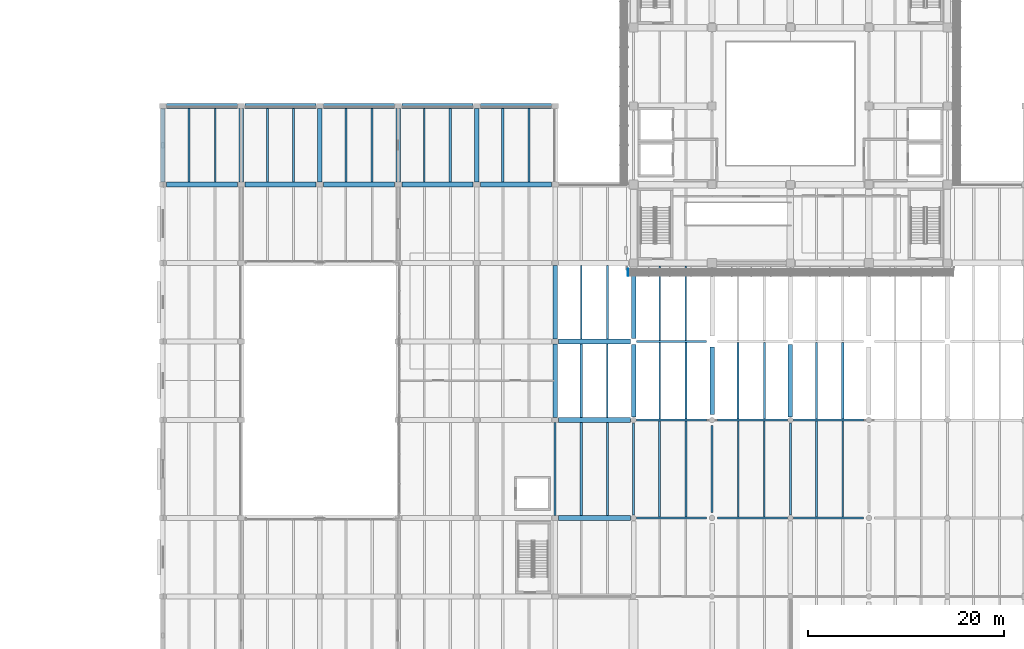
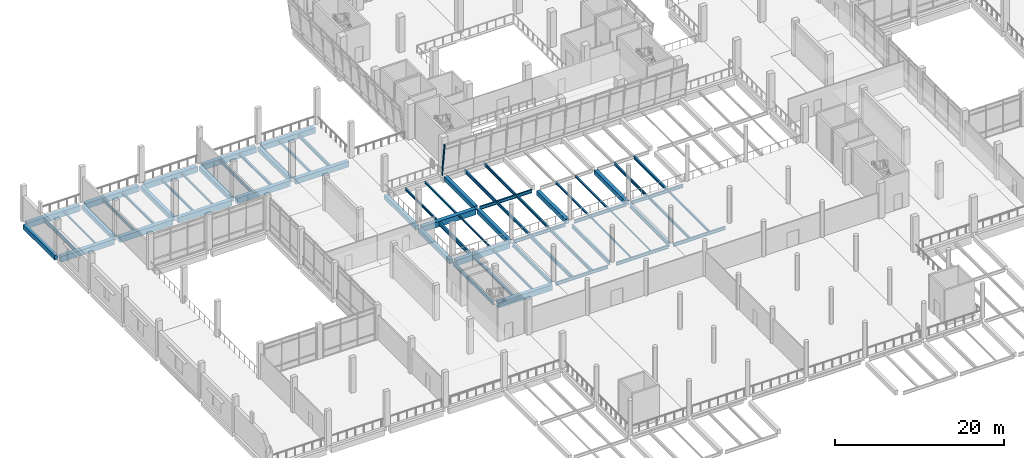
# One storey, part 12 of 61: 65 beams, 1 member, 1 element without a shape of its own.
"""IFC4 building model written with IfcOpenShell, lengths in metres."""

from ifc_helpers import new_model, si_unit, direction, frame, origin, origin_2d, place, context, subcontext, project, spatial, rectangle, i_section, extrude, material, material_profile, profile_set, type_object, element, aggregate, save


model = new_model("IFC4")

# Units and contexts
model_context = context("Model", 3, precision=1e-05, world=origin(), true_north=direction((0.0, 1.0)))
body_context = subcontext(model_context, "Body", "Model", "MODEL_VIEW")
ifc_project = project(units=[si_unit("LENGTHUNIT", "METRE"), si_unit("AREAUNIT", "SQUARE_METRE"), si_unit("VOLUMEUNIT", "CUBIC_METRE"), si_unit("PLANEANGLEUNIT", "RADIAN"), si_unit("MASSUNIT", "GRAM", prefix="KILO")], contexts=[model_context])

# Site, building, storey
site_placement = place(None, origin())
site = spatial("IfcSite", under=ifc_project, at=site_placement, CompositionType="ELEMENT")
building_placement = place(site_placement, origin())
building = spatial("IfcBuilding", under=site, at=building_placement, Name="Pecanmere Concourse Central Library", CompositionType="ELEMENT")
storey_placement = place(building_placement, frame((0.0, 0.0, 5.39990234375)))
storey = spatial("IfcBuildingStorey", under=building, at=storey_placement, Name="L02", CompositionType="ELEMENT", Elevation=5.39990234375)

# Curtain wall, member
ifc_material_1 = material(Name="Anodized bronze aluminium alloy 6063-T6", Category="aluminium")
curtain_wall_type = type_object("IfcCurtainWallType", Name="CW_LEAN_BANDED", PredefinedType="USERDEFINED", material=ifc_material_1)
curtain_wall_placement = place(storey_placement, origin())
curtain_wall = element("IfcCurtainWall", 1, at=curtain_wall_placement, inside=storey, type_object=curtain_wall_type, Name="Unitised Curtain Wall CW-01 L02-012", ObjectType="UNITISED CURTAIN WALL", PredefinedType="USERDEFINED")
ifc_material_2 = material(Name="Anodized bronze aluminium alloy 6063-T6", Category="aluminium")
ifc_material_profile_1 = material_profile(ifc_material_2, rectangle(XDim=0.074951171875, YDim=0.199951171875, at=origin_2d()), Name="AL 75x200")
ifc_profile_set_1 = profile_set([ifc_material_profile_1], Name="Anodized bronze aluminium alloy 6063-T6")
member_type = type_object("IfcMemberType", Name="CWM_200x75", PredefinedType="MULLION", material=ifc_profile_set_1)
member_placement = place(storey_placement, frame((71.43701171875, 89.359619140625, 0.0), z_axis=(0.0, -0.132283601957, 0.991211909055), x_axis=(1.0, 0.0, 0.0)))
member = element("IfcMember", 2, at=member_placement, type_object=member_type, Name="CW-01 Mullion 1", PredefinedType="MULLION", context=body_context, shape_type="SweptSolid", body=[
    extrude(rectangle(XDim=0.074951171875, YDim=0.199951171875, at=origin_2d()), origin(), (0.0, 0.0, 1.0), 4.80224609375),
])
aggregate(curtain_wall, [member])

# Beams
ifc_material_3 = material(Name="Concrete C40/50", Category="concrete")
ifc_material_profile_2 = material_profile(ifc_material_3, rectangle(XDim=0.4599609375, YDim=0.64990234375, at=origin_2d()), Name="RC 460x650")
ifc_profile_set_2 = profile_set([ifc_material_profile_2], Name="Concrete C40/50")
beam_type_1 = type_object("IfcBeamType", Name="GRD_460x650", PredefinedType="USERDEFINED", material=ifc_profile_set_2)
for number, where, z_axis, x_axis, name in (
    (3, (24.0, 98.27001953125, -0.69482421875), (0.0, 1.0, 0.0), (-1.0, 0.0, 0.0), "Primary Girder Y L02-0981"),
    (4, (32.0, 98.27001953125, -0.69482421875), (0.0, 1.0, 0.0), (-1.0, 0.0, 0.0), "Primary Girder Y L02-0991"),
    (5, (40.0, 98.27001953125, -0.69482421875), (0.0, 1.0, 0.0), (-1.0, 0.0, 0.0), "Primary Girder Y L02-0999"),
    (6, (48.0, 98.27001953125, -0.69482421875), (0.0, 1.0, 0.0), (-1.0, 0.0, 0.0), "Primary Girder Y L02-1010"),
    (7, (56.0, 98.27001953125, -0.69482421875), (0.0, 1.0, 0.0), (-1.0, 0.0, 0.0), "Primary Girder Y L02-1020"),
    (8, (64.0, 74.27001953125, -0.69482421875), (0.0, 1.0, 0.0), (-1.0, 0.0, 0.0), "Primary Girder Y L02-1027"),
    (9, (64.0, 82.27001953125, -0.69482421875), (0.0, 1.0, 0.0), (-1.0, 0.0, 0.0), "Primary Girder Y L02-1028"),
):
    element("IfcBeam", number, at=place(storey_placement, frame(where, z_axis=z_axis, x_axis=x_axis)), inside=storey, type_object=beam_type_1, Name=name, ObjectType="GIRDER", PredefinedType="USERDEFINED", context=body_context, shape_type="SweptSolid", body=[
        extrude(rectangle(XDim=0.4599609375, YDim=0.64990234375, at=origin_2d()), origin(), (0.0, 0.0, 1.0), 7.4599609375),
    ])
beam_1_placement = place(storey_placement, frame((72.0, 74.31005859375, -0.69482421875), z_axis=(0.0, 1.0, 0.0), x_axis=(-1.0, 0.0, 0.0)))
element("IfcBeam", 10, at=beam_1_placement, inside=storey, type_object=beam_type_1, Name="Primary Girder Y L02-1036", ObjectType="GIRDER", PredefinedType="USERDEFINED", context=body_context, shape_type="SweptSolid", body=[
    extrude(rectangle(XDim=0.4599609375, YDim=0.64990234375, at=origin_2d()), origin(), (0.0, 0.0, 1.0), 7.3798828125),
])
beam_2_placement = place(storey_placement, frame((72.0, 82.31005859375, -0.69482421875), z_axis=(0.0, 1.0, 0.0), x_axis=(-1.0, 0.0, 0.0)))
element("IfcBeam", 11, at=beam_2_placement, inside=storey, type_object=beam_type_1, Name="Primary Girder Y L02-1037", ObjectType="GIRDER", PredefinedType="USERDEFINED", context=body_context, shape_type="SweptSolid", body=[
    extrude(rectangle(XDim=0.4599609375, YDim=0.64990234375, at=origin_2d()), origin(), (0.0, 0.0, 1.0), 7.179931640625),
])
beam_3_placement = place(storey_placement, frame((80.0, 74.56005859375, -0.69482421875), z_axis=(0.0, 1.0, 0.0), x_axis=(-1.0, 0.0, 0.0)))
element("IfcBeam", 12, at=beam_3_placement, inside=storey, type_object=beam_type_1, Name="Primary Girder Y L02-1048", ObjectType="GIRDER", PredefinedType="USERDEFINED", context=body_context, shape_type="SweptSolid", body=[
    extrude(rectangle(XDim=0.4599609375, YDim=0.64990234375, at=origin_2d()), origin(), (0.0, 0.0, 1.0), 6.8798828125),
])
beam_4_placement = place(storey_placement, frame((88.0, 74.31005859375, -0.69482421875), z_axis=(0.0, 1.0, 0.0), x_axis=(-1.0, 0.0, 0.0)))
element("IfcBeam", 13, at=beam_4_placement, inside=storey, type_object=beam_type_1, Name="Primary Girder Y L02-1058", ObjectType="GIRDER", PredefinedType="USERDEFINED", context=body_context, shape_type="SweptSolid", body=[
    extrude(rectangle(XDim=0.4599609375, YDim=0.64990234375, at=origin_2d()), origin(), (0.0, 0.0, 1.0), 7.3798828125),
])
ifc_material_4 = material(Name="Concrete C40/50", Category="concrete")
ifc_material_profile_3 = material_profile(ifc_material_4, rectangle(XDim=0.5400390625, YDim=0.800048828125, at=origin_2d()), Name="RC 540x800")
ifc_profile_set_3 = profile_set([ifc_material_profile_3], Name="Concrete C40/50")
beam_type_2 = type_object("IfcBeamType", Name="GRD_540x800", PredefinedType="USERDEFINED", material=ifc_profile_set_3)
for number, where, z_axis, x_axis, name in (
    (14, (64.3701171875, 64.0, -0.77001953125), (1.0, 0.0, 0.0), (0.0, 1.0, 0.0), "Primary Girder X L02-0874"),
    (15, (64.3701171875, 74.0, -0.77001953125), (1.0, 0.0, 0.0), (0.0, 1.0, 0.0), "Primary Girder X L02-0888"),
    (16, (64.3701171875, 82.0, -0.77001953125), (1.0, 0.0, 0.0), (0.0, 1.0, 0.0), "Primary Girder X L02-0900"),
):
    element("IfcBeam", number, at=place(storey_placement, frame(where, z_axis=z_axis, x_axis=x_axis)), inside=storey, type_object=beam_type_2, Name=name, ObjectType="GIRDER", PredefinedType="USERDEFINED", context=body_context, shape_type="SweptSolid", body=[
        extrude(rectangle(XDim=0.5400390625, YDim=0.800048828125, at=origin_2d()), origin(), (0.0, 0.0, 1.0), 7.31982421875),
    ])
for number, where, z_axis, x_axis, name in (
    (17, (24.3701171875, 98.0, -0.77001953125), (1.0, 0.0, 0.0), (0.0, 1.0, 0.0), "Primary Girder X L02-0925"),
    (18, (32.3701171875, 98.0, -0.77001953125), (1.0, 0.0, 0.0), (0.0, 1.0, 0.0), "Primary Girder X L02-0926"),
    (19, (40.3701171875, 98.0, -0.77001953125), (1.0, 0.0, 0.0), (0.0, 1.0, 0.0), "Primary Girder X L02-0927"),
    (20, (48.3701171875, 98.0, -0.77001953125), (1.0, 0.0, 0.0), (0.0, 1.0, 0.0), "Primary Girder X L02-0928"),
    (21, (56.3701171875, 98.0, -0.77001953125), (1.0, 0.0, 0.0), (0.0, 1.0, 0.0), "Primary Girder X L02-0929"),
    (22, (24.3701171875, 106.0, -0.77001953125), (1.0, 0.0, 0.0), (0.0, 1.0, 0.0), "Primary Girder X L02-0941"),
    (23, (32.3701171875, 106.0, -0.77001953125), (1.0, 0.0, 0.0), (0.0, 1.0, 0.0), "Primary Girder X L02-0942"),
    (24, (40.3701171875, 106.0, -0.77001953125), (1.0, 0.0, 0.0), (0.0, 1.0, 0.0), "Primary Girder X L02-0943"),
    (25, (48.3701171875, 106.0, -0.77001953125), (1.0, 0.0, 0.0), (0.0, 1.0, 0.0), "Primary Girder X L02-0944"),
    (26, (56.3701171875, 106.0, -0.77001953125), (1.0, 0.0, 0.0), (0.0, 1.0, 0.0), "Primary Girder X L02-0945"),
):
    element("IfcBeam", number, at=place(storey_placement, frame(where, z_axis=z_axis, x_axis=x_axis)), inside=storey, type_object=beam_type_2, Name=name, ObjectType="GIRDER", PredefinedType="USERDEFINED", context=body_context, shape_type="SweptSolid", body=[
        extrude(rectangle(XDim=0.5400390625, YDim=0.800048828125, at=origin_2d()), origin(), (0.0, 0.0, 1.0), 7.259765625),
    ])
ifc_material_5 = material(Name="Structural steel ASTM A992 Grade 50", Category="steel")
ifc_material_profile_4 = material_profile(ifc_material_5, i_section(OverallWidth=0.152099609375, OverallDepth=0.152099609375, WebThickness=0.005859375, FlangeThickness=0.006591796875, at=origin_2d()), Name="W150x22.5")
ifc_profile_set_4 = profile_set([ifc_material_profile_4], Name="Structural steel ASTM A992 Grade 50")
beam_type_3 = type_object("IfcBeamType", Name="SBM_W150x22", PredefinedType="LINTEL", material=ifc_profile_set_4)
beam_5_placement = place(storey_placement, frame((85.333251953125, 64.096923828125, -0.44580078125), z_axis=(0.0, 1.0, 0.0), x_axis=(-1.0, 0.0, 0.0)))
element("IfcBeam", 27, at=beam_5_placement, inside=storey, type_object=beam_type_3, Name="Secondary Floor Joist L02-1300", PredefinedType="LINTEL", context=body_context, shape_type="SweptSolid", body=[
    extrude(i_section(OverallWidth=0.152099609375, OverallDepth=0.152099609375, WebThickness=0.005859375, FlangeThickness=0.006591796875, at=origin_2d()), origin(), (0.0, 0.0, 1.0), 9.80615234375),
])
ifc_material_6 = material(Name="Structural steel ASTM A992 Grade 50", Category="steel")
ifc_material_profile_5 = material_profile(ifc_material_6, i_section(OverallWidth=0.1650390625, OverallDepth=0.200927734375, WebThickness=0.006103515625, FlangeThickness=0.01025390625, at=origin_2d()), Name="W200x35.9")
ifc_profile_set_5 = profile_set([ifc_material_profile_5], Name="Structural steel ASTM A992 Grade 50")
beam_type_4 = type_object("IfcBeamType", Name="SBM_W200x36", PredefinedType="LINTEL", material=ifc_profile_set_5)
for number, where, z_axis, x_axis, name in (
    (28, (29.333251953125, 98.27001953125, -0.470458984375), (0.0, 1.0, 0.0), (-1.0, 0.0, 0.0), "Secondary Floor Joist L02-1201"),
    (29, (69.333251953125, 74.27001953125, -0.470458984375), (0.0, 1.0, 0.0), (-1.0, 0.0, 0.0), "Secondary Floor Joist L02-1269"),
):
    element("IfcBeam", number, at=place(storey_placement, frame(where, z_axis=z_axis, x_axis=x_axis)), inside=storey, type_object=beam_type_4, Name=name, PredefinedType="LINTEL", context=body_context, shape_type="SweptSolid", body=[
        extrude(i_section(OverallWidth=0.1650390625, OverallDepth=0.200927734375, WebThickness=0.006103515625, FlangeThickness=0.01025390625, at=origin_2d()), origin(), (0.0, 0.0, 1.0), 7.4599609375),
    ])
beam_6_placement = place(storey_placement, frame((82.666748046875, 64.096923828125, -0.470458984375), z_axis=(0.0, 1.0, 0.0), x_axis=(-1.0, 0.0, 0.0)))
element("IfcBeam", 30, at=beam_6_placement, inside=storey, type_object=beam_type_4, Name="Secondary Floor Joist L02-1299", PredefinedType="LINTEL", context=body_context, shape_type="SweptSolid", body=[
    extrude(i_section(OverallWidth=0.1650390625, OverallDepth=0.200927734375, WebThickness=0.006103515625, FlangeThickness=0.01025390625, at=origin_2d()), origin(), (0.0, 0.0, 1.0), 9.80615234375),
])
ifc_material_7 = material(Name="Structural steel ASTM A992 Grade 50", Category="steel")
ifc_material_profile_6 = material_profile(ifc_material_7, i_section(OverallWidth=0.2041015625, OverallDepth=0.2060546875, WebThickness=0.0078125, FlangeThickness=0.0126953125, at=origin_2d()), Name="W200x52")
ifc_profile_set_6 = profile_set([ifc_material_profile_6], Name="Structural steel ASTM A992 Grade 50")
beam_type_5 = type_object("IfcBeamType", Name="SBM_W200x52", PredefinedType="JOIST", material=ifc_profile_set_6)
beam_7_placement = place(storey_placement, frame((45.333251953125, 98.27001953125, -0.472900390625), z_axis=(0.0, 1.0, 0.0), x_axis=(-1.0, 0.0, 0.0)))
element("IfcBeam", 31, at=beam_7_placement, inside=storey, type_object=beam_type_5, Name="Secondary Floor Joist L02-1228", PredefinedType="JOIST", context=body_context, shape_type="SweptSolid", body=[
    extrude(i_section(OverallWidth=0.2041015625, OverallDepth=0.2060546875, WebThickness=0.0078125, FlangeThickness=0.0126953125, at=origin_2d()), origin(), (0.0, 0.0, 1.0), 7.4599609375),
])
beam_8_placement = place(storey_placement, frame((85.333251953125, 74.096923828125, -0.472900390625), z_axis=(0.0, 1.0, 0.0), x_axis=(-1.0, 0.0, 0.0)))
element("IfcBeam", 32, at=beam_8_placement, inside=storey, type_object=beam_type_5, Name="Secondary Floor Joist L02-1302", PredefinedType="JOIST", context=body_context, shape_type="SweptSolid", body=[
    extrude(i_section(OverallWidth=0.2041015625, OverallDepth=0.2060546875, WebThickness=0.0078125, FlangeThickness=0.0126953125, at=origin_2d()), origin(), (0.0, 0.0, 1.0), 7.80615234375),
])
ifc_material_8 = material(Name="Structural steel ASTM A992 Grade 50", Category="steel")
ifc_material_profile_7 = material_profile(ifc_material_8, i_section(OverallWidth=0.201904296875, OverallDepth=0.2470703125, WebThickness=0.00732421875, FlangeThickness=0.010986328125, at=origin_2d()), Name="W250x49.1")
ifc_profile_set_7 = profile_set([ifc_material_profile_7], Name="Structural steel ASTM A992 Grade 50")
beam_type_6 = type_object("IfcBeamType", Name="SBM_W250x49", PredefinedType="JOIST", material=ifc_profile_set_7)
for number, where, z_axis, x_axis, name in (
    (33, (42.666748046875, 98.27001953125, -0.493408203125), (0.0, 1.0, 0.0), (-1.0, 0.0, 0.0), "Secondary Floor Joist L02-1227"),
    (34, (69.333251953125, 82.27001953125, -0.493408203125), (0.0, 1.0, 0.0), (-1.0, 0.0, 0.0), "Secondary Floor Joist L02-1271"),
):
    element("IfcBeam", number, at=place(storey_placement, frame(where, z_axis=z_axis, x_axis=x_axis)), inside=storey, type_object=beam_type_6, Name=name, PredefinedType="JOIST", context=body_context, shape_type="SweptSolid", body=[
        extrude(i_section(OverallWidth=0.201904296875, OverallDepth=0.2470703125, WebThickness=0.00732421875, FlangeThickness=0.010986328125, at=origin_2d()), origin(), (0.0, 0.0, 1.0), 7.4599609375),
    ])
beam_9_placement = place(storey_placement, frame((82.666748046875, 74.096923828125, -0.493408203125), z_axis=(0.0, 1.0, 0.0), x_axis=(-1.0, 0.0, 0.0)))
element("IfcBeam", 35, at=beam_9_placement, inside=storey, type_object=beam_type_6, Name="Secondary Floor Joist L02-1301", PredefinedType="JOIST", context=body_context, shape_type="SweptSolid", body=[
    extrude(i_section(OverallWidth=0.201904296875, OverallDepth=0.2470703125, WebThickness=0.00732421875, FlangeThickness=0.010986328125, at=origin_2d()), origin(), (0.0, 0.0, 1.0), 7.80615234375),
])
ifc_material_9 = material(Name="Structural steel ASTM A992 Grade 50", Category="steel")
ifc_material_profile_8 = material_profile(ifc_material_9, i_section(OverallWidth=0.25390625, OverallDepth=0.2529296875, WebThickness=0.008544921875, FlangeThickness=0.01416015625, at=origin_2d()), Name="W250x73")
ifc_profile_set_8 = profile_set([ifc_material_profile_8], Name="Structural steel ASTM A992 Grade 50")
beam_type_7 = type_object("IfcBeamType", Name="SBM_W250x73", PredefinedType="BEAM", material=ifc_profile_set_8)
beam_10_placement = place(storey_placement, frame((58.666748046875, 98.27001953125, -0.496337890625), z_axis=(0.0, 1.0, 0.0), x_axis=(-1.0, 0.0, 0.0)))
element("IfcBeam", 36, at=beam_10_placement, inside=storey, type_object=beam_type_7, Name="Secondary Floor Joist L02-1259", PredefinedType="BEAM", context=body_context, shape_type="SweptSolid", body=[
    extrude(i_section(OverallWidth=0.25390625, OverallDepth=0.2529296875, WebThickness=0.008544921875, FlangeThickness=0.01416015625, at=origin_2d()), origin(), (0.0, 0.0, 1.0), 7.4599609375),
])
ifc_material_10 = material(Name="Structural steel ASTM A992 Grade 50", Category="steel")
ifc_material_profile_9 = material_profile(ifc_material_10, i_section(OverallWidth=0.1669921875, OverallDepth=0.31689453125, WebThickness=0.007568359375, FlangeThickness=0.01318359375, at=origin_2d()), Name="W310x52")
ifc_profile_set_9 = profile_set([ifc_material_profile_9], Name="Structural steel ASTM A992 Grade 50")
beam_type_8 = type_object("IfcBeamType", Name="SBM_W310x52", PredefinedType="JOIST", material=ifc_profile_set_9)
beam_11_placement = place(storey_placement, frame((66.666748046875, 82.27001953125, -0.5283203125), z_axis=(0.0, 1.0, 0.0), x_axis=(-1.0, 0.0, 0.0)))
element("IfcBeam", 37, at=beam_11_placement, inside=storey, type_object=beam_type_8, Name="Secondary Floor Joist L02-1270", PredefinedType="JOIST", context=body_context, shape_type="SweptSolid", body=[
    extrude(i_section(OverallWidth=0.1669921875, OverallDepth=0.31689453125, WebThickness=0.007568359375, FlangeThickness=0.01318359375, at=origin_2d()), origin(), (0.0, 0.0, 1.0), 7.4599609375),
])
beam_12_placement = place(storey_placement, frame((93.333251953125, 64.096923828125, -0.5283203125), z_axis=(0.0, 1.0, 0.0), x_axis=(-1.0, 0.0, 0.0)))
element("IfcBeam", 38, at=beam_12_placement, inside=storey, type_object=beam_type_8, Name="Secondary Floor Joist L02-1316", PredefinedType="JOIST", context=body_context, shape_type="SweptSolid", body=[
    extrude(i_section(OverallWidth=0.1669921875, OverallDepth=0.31689453125, WebThickness=0.007568359375, FlangeThickness=0.01318359375, at=origin_2d()), origin(), (0.0, 0.0, 1.0), 9.80615234375),
])
ifc_material_11 = material(Name="Structural steel ASTM A992 Grade 50", Category="steel")
ifc_material_profile_10 = material_profile(ifc_material_11, i_section(OverallWidth=0.205078125, OverallDepth=0.31005859375, WebThickness=0.009521484375, FlangeThickness=0.016357421875, at=origin_2d()), Name="W310x74")
ifc_profile_set_10 = profile_set([ifc_material_profile_10], Name="Structural steel ASTM A992 Grade 50")
beam_type_9 = type_object("IfcBeamType", Name="SBM_W310x74", PredefinedType="BEAM", material=ifc_profile_set_10)
beam_13_placement = place(storey_placement, frame((69.333251953125, 64.27001953125, -0.52490234375), z_axis=(0.0, 1.0, 0.0), x_axis=(-1.0, 0.0, 0.0)))
element("IfcBeam", 39, at=beam_13_placement, inside=storey, type_object=beam_type_9, Name="Secondary Floor Joist L02-1267", PredefinedType="BEAM", context=body_context, shape_type="SweptSolid", body=[
    extrude(i_section(OverallWidth=0.205078125, OverallDepth=0.31005859375, WebThickness=0.009521484375, FlangeThickness=0.016357421875, at=origin_2d()), origin(), (0.0, 0.0, 1.0), 9.4599609375),
])
ifc_material_12 = material(Name="Structural steel ASTM A992 Grade 50", Category="steel")
ifc_material_profile_11 = material_profile(ifc_material_12, i_section(OverallWidth=0.202880859375, OverallDepth=0.346923828125, WebThickness=0.0078125, FlangeThickness=0.013427734375, at=origin_2d()), Name="W360x64")
ifc_profile_set_11 = profile_set([ifc_material_profile_11], Name="Structural steel ASTM A992 Grade 50")
beam_type_10 = type_object("IfcBeamType", Name="SBM_W360x64", PredefinedType="JOIST", material=ifc_profile_set_11)
beam_14_placement = place(storey_placement, frame((37.333251953125, 98.27001953125, -0.54345703125), z_axis=(0.0, 1.0, 0.0), x_axis=(-1.0, 0.0, 0.0)))
element("IfcBeam", 40, at=beam_14_placement, inside=storey, type_object=beam_type_10, Name="Secondary Floor Joist L02-1213", PredefinedType="JOIST", context=body_context, shape_type="SweptSolid", body=[
    extrude(i_section(OverallWidth=0.202880859375, OverallDepth=0.346923828125, WebThickness=0.0078125, FlangeThickness=0.013427734375, at=origin_2d()), origin(), (0.0, 0.0, 1.0), 7.4599609375),
])
beam_15_placement = place(storey_placement, frame((77.333251953125, 74.096923828125, -0.54345703125), z_axis=(0.0, 1.0, 0.0), x_axis=(-1.0, 0.0, 0.0)))
element("IfcBeam", 41, at=beam_15_placement, inside=storey, type_object=beam_type_10, Name="Secondary Floor Joist L02-1283", PredefinedType="JOIST", context=body_context, shape_type="SweptSolid", body=[
    extrude(i_section(OverallWidth=0.202880859375, OverallDepth=0.346923828125, WebThickness=0.0078125, FlangeThickness=0.013427734375, at=origin_2d()), origin(), (0.0, 0.0, 1.0), 7.80615234375),
])
beam_16_placement = place(storey_placement, frame((90.666748046875, 64.096923828125, -0.54345703125), z_axis=(0.0, 1.0, 0.0), x_axis=(-1.0, 0.0, 0.0)))
element("IfcBeam", 42, at=beam_16_placement, inside=storey, type_object=beam_type_10, Name="Secondary Floor Joist L02-1315", PredefinedType="JOIST", context=body_context, shape_type="SweptSolid", body=[
    extrude(i_section(OverallWidth=0.202880859375, OverallDepth=0.346923828125, WebThickness=0.0078125, FlangeThickness=0.013427734375, at=origin_2d()), origin(), (0.0, 0.0, 1.0), 9.80615234375),
])
ifc_material_13 = material(Name="Structural steel ASTM A992 Grade 50", Category="steel")
ifc_material_profile_12 = material_profile(ifc_material_13, i_section(OverallWidth=0.25390625, OverallDepth=0.35302734375, WebThickness=0.009521484375, FlangeThickness=0.016357421875, at=origin_2d()), Name="W360x91")
ifc_profile_set_12 = profile_set([ifc_material_profile_12], Name="Structural steel ASTM A992 Grade 50")
beam_type_11 = type_object("IfcBeamType", Name="SBM_W360x91", PredefinedType="BEAM", material=ifc_profile_set_12)
beam_17_placement = place(storey_placement, frame((53.333251953125, 98.27001953125, -0.54638671875), z_axis=(0.0, 1.0, 0.0), x_axis=(-1.0, 0.0, 0.0)))
element("IfcBeam", 43, at=beam_17_placement, inside=storey, type_object=beam_type_11, Name="Secondary Floor Joist L02-1242", PredefinedType="BEAM", context=body_context, shape_type="SweptSolid", body=[
    extrude(i_section(OverallWidth=0.25390625, OverallDepth=0.35302734375, WebThickness=0.009521484375, FlangeThickness=0.016357421875, at=origin_2d()), origin(), (0.0, 0.0, 1.0), 7.4599609375),
])
beam_18_placement = place(storey_placement, frame((66.666748046875, 64.27001953125, -0.54638671875), z_axis=(0.0, 1.0, 0.0), x_axis=(-1.0, 0.0, 0.0)))
element("IfcBeam", 44, at=beam_18_placement, inside=storey, type_object=beam_type_11, Name="Secondary Floor Joist L02-1266", PredefinedType="BEAM", context=body_context, shape_type="SweptSolid", body=[
    extrude(i_section(OverallWidth=0.25390625, OverallDepth=0.35302734375, WebThickness=0.009521484375, FlangeThickness=0.016357421875, at=origin_2d()), origin(), (0.0, 0.0, 1.0), 9.4599609375),
])
beam_19_placement = place(storey_placement, frame((93.333251953125, 74.096923828125, -0.54638671875), z_axis=(0.0, 1.0, 0.0), x_axis=(-1.0, 0.0, 0.0)))
element("IfcBeam", 45, at=beam_19_placement, inside=storey, type_object=beam_type_11, Name="Secondary Floor Joist L02-1318", PredefinedType="BEAM", context=body_context, shape_type="SweptSolid", body=[
    extrude(i_section(OverallWidth=0.25390625, OverallDepth=0.35302734375, WebThickness=0.009521484375, FlangeThickness=0.016357421875, at=origin_2d()), origin(), (0.0, 0.0, 1.0), 7.80615234375),
])
ifc_material_14 = material(Name="Structural steel ASTM A992 Grade 50", Category="steel")
ifc_material_profile_13 = material_profile(ifc_material_14, i_section(OverallWidth=0.177978515625, OverallDepth=0.406982421875, WebThickness=0.0078125, FlangeThickness=0.0126953125, at=origin_2d()), Name="W410x60")
ifc_profile_set_13 = profile_set([ifc_material_profile_13], Name="Structural steel ASTM A992 Grade 50")
beam_type_12 = type_object("IfcBeamType", Name="SBM_W410x60", PredefinedType="JOIST", material=ifc_profile_set_13)
beam_20_placement = place(storey_placement, frame((34.666748046875, 98.27001953125, -0.573486328125), z_axis=(0.0, 1.0, 0.0), x_axis=(-1.0, 0.0, 0.0)))
element("IfcBeam", 46, at=beam_20_placement, inside=storey, type_object=beam_type_12, Name="Secondary Floor Joist L02-1212", PredefinedType="JOIST", context=body_context, shape_type="SweptSolid", body=[
    extrude(i_section(OverallWidth=0.177978515625, OverallDepth=0.406982421875, WebThickness=0.0078125, FlangeThickness=0.0126953125, at=origin_2d()), origin(), (0.0, 0.0, 1.0), 7.4599609375),
])
beam_21_placement = place(storey_placement, frame((74.666748046875, 74.096923828125, -0.573486328125), z_axis=(0.0, 1.0, 0.0), x_axis=(-1.0, 0.0, 0.0)))
element("IfcBeam", 47, at=beam_21_placement, inside=storey, type_object=beam_type_12, Name="Secondary Floor Joist L02-1282", PredefinedType="JOIST", context=body_context, shape_type="SweptSolid", body=[
    extrude(i_section(OverallWidth=0.177978515625, OverallDepth=0.406982421875, WebThickness=0.0078125, FlangeThickness=0.0126953125, at=origin_2d()), origin(), (0.0, 0.0, 1.0), 7.80615234375),
])
ifc_material_15 = material(Name="Structural steel ASTM A992 Grade 50", Category="steel")
ifc_material_profile_14 = material_profile(ifc_material_15, i_section(OverallWidth=0.180908203125, OverallDepth=0.4169921875, WebThickness=0.010986328125, FlangeThickness=0.018310546875, at=origin_2d()), Name="W410x85")
ifc_profile_set_14 = profile_set([ifc_material_profile_14], Name="Structural steel ASTM A992 Grade 50")
beam_type_13 = type_object("IfcBeamType", Name="SBM_W410x85", PredefinedType="BEAM", material=ifc_profile_set_14)
beam_22_placement = place(storey_placement, frame((50.666748046875, 98.27001953125, -0.578369140625), z_axis=(0.0, 1.0, 0.0), x_axis=(-1.0, 0.0, 0.0)))
element("IfcBeam", 48, at=beam_22_placement, inside=storey, type_object=beam_type_13, Name="Secondary Floor Joist L02-1241", PredefinedType="BEAM", context=body_context, shape_type="SweptSolid", body=[
    extrude(i_section(OverallWidth=0.180908203125, OverallDepth=0.4169921875, WebThickness=0.010986328125, FlangeThickness=0.018310546875, at=origin_2d()), origin(), (0.0, 0.0, 1.0), 7.4599609375),
])
beam_23_placement = place(storey_placement, frame((77.333251953125, 82.096923828125, -0.578369140625), z_axis=(0.0, 1.0, 0.0), x_axis=(-1.0, 0.0, 0.0)))
element("IfcBeam", 49, at=beam_23_placement, inside=storey, type_object=beam_type_13, Name="Secondary Floor Joist L02-1285", PredefinedType="BEAM", context=body_context, shape_type="SweptSolid", body=[
    extrude(i_section(OverallWidth=0.180908203125, OverallDepth=0.4169921875, WebThickness=0.010986328125, FlangeThickness=0.018310546875, at=origin_2d()), origin(), (0.0, 0.0, 1.0), 7.572998046875),
])
beam_24_placement = place(storey_placement, frame((90.666748046875, 74.096923828125, -0.578369140625), z_axis=(0.0, 1.0, 0.0), x_axis=(-1.0, 0.0, 0.0)))
element("IfcBeam", 50, at=beam_24_placement, inside=storey, type_object=beam_type_13, Name="Secondary Floor Joist L02-1317", PredefinedType="BEAM", context=body_context, shape_type="SweptSolid", body=[
    extrude(i_section(OverallWidth=0.180908203125, OverallDepth=0.4169921875, WebThickness=0.010986328125, FlangeThickness=0.018310546875, at=origin_2d()), origin(), (0.0, 0.0, 1.0), 7.80615234375),
])
ifc_material_16 = material(Name="Structural steel ASTM A992 Grade 50", Category="steel")
ifc_material_profile_15 = material_profile(ifc_material_16, i_section(OverallWidth=0.194091796875, OverallDepth=0.468994140625, WebThickness=0.0126953125, FlangeThickness=0.0205078125, at=origin_2d()), Name="W460x106")
ifc_profile_set_15 = profile_set([ifc_material_profile_15], Name="Structural steel ASTM A992 Grade 50")
beam_type_14 = type_object("IfcBeamType", Name="SBM_W460x106", PredefinedType="USERDEFINED", material=ifc_profile_set_15)
for number, where, z_axis, x_axis, name in (
    (51, (72.31005859375, 64.0, -0.6044921875), (1.0, 0.0, 0.0), (0.0, 1.0, 0.0), "Primary Girder X L02-0875"),
    (52, (80.56005859375, 64.0, -0.6044921875), (1.0, 0.0, 0.0), (0.0, 1.0, 0.0), "Primary Girder X L02-0876"),
    (53, (88.31005859375, 64.0, -0.6044921875), (1.0, 0.0, 0.0), (0.0, 1.0, 0.0), "Primary Girder X L02-0877"),
    (54, (72.31005859375, 74.0, -0.6044921875), (1.0, 0.0, 0.0), (0.0, 1.0, 0.0), "Primary Girder X L02-0889"),
    (55, (80.56005859375, 74.0, -0.6044921875), (1.0, 0.0, 0.0), (0.0, 1.0, 0.0), "Primary Girder X L02-0890"),
    (56, (88.31005859375, 74.0, -0.6044921875), (1.0, 0.0, 0.0), (0.0, 1.0, 0.0), "Primary Girder X L02-0891"),
    (57, (72.31005859375, 82.0, -0.6044921875), (1.0, 0.0, 0.0), (0.0, 1.0, 0.0), "Primary Girder X L02-0901"),
):
    element("IfcBeam", number, at=place(storey_placement, frame(where, z_axis=z_axis, x_axis=x_axis)), inside=storey, type_object=beam_type_14, Name=name, ObjectType="GIRDER", PredefinedType="USERDEFINED", context=body_context, shape_type="SweptSolid", body=[
        extrude(i_section(OverallWidth=0.194091796875, OverallDepth=0.468994140625, WebThickness=0.0126953125, FlangeThickness=0.0205078125, at=origin_2d()), origin(), (0.0, 0.0, 1.0), 7.1298828125),
    ])
beam_25_placement = place(storey_placement, frame((77.333251953125, 64.096923828125, -0.6044921875), z_axis=(0.0, 1.0, 0.0), x_axis=(-1.0, 0.0, 0.0)))
element("IfcBeam", 58, at=beam_25_placement, inside=storey, type_object=beam_type_14, Name="Secondary Floor Joist L02-1281", ObjectType="GIRDER", PredefinedType="USERDEFINED", context=body_context, shape_type="SweptSolid", body=[
    extrude(i_section(OverallWidth=0.194091796875, OverallDepth=0.468994140625, WebThickness=0.0126953125, FlangeThickness=0.0205078125, at=origin_2d()), origin(), (0.0, 0.0, 1.0), 9.80615234375),
])
ifc_material_17 = material(Name="Structural steel ASTM A992 Grade 50", Category="steel")
ifc_material_profile_16 = material_profile(ifc_material_17, i_section(OverallWidth=0.18994140625, OverallDepth=0.45703125, WebThickness=0.009033203125, FlangeThickness=0.014404296875, at=origin_2d()), Name="W460x74")
ifc_profile_set_16 = profile_set([ifc_material_profile_16], Name="Structural steel ASTM A992 Grade 50")
beam_type_15 = type_object("IfcBeamType", Name="SBM_W460x74", PredefinedType="BEAM", material=ifc_profile_set_16)
beam_26_placement = place(storey_placement, frame((74.666748046875, 82.096923828125, -0.598388671875), z_axis=(0.0, 1.0, 0.0), x_axis=(-1.0, 0.0, 0.0)))
element("IfcBeam", 59, at=beam_26_placement, inside=storey, type_object=beam_type_15, Name="Secondary Floor Joist L02-1284", PredefinedType="BEAM", context=body_context, shape_type="SweptSolid", body=[
    extrude(i_section(OverallWidth=0.18994140625, OverallDepth=0.45703125, WebThickness=0.009033203125, FlangeThickness=0.014404296875, at=origin_2d()), origin(), (0.0, 0.0, 1.0), 7.572998046875),
])
ifc_material_18 = material(Name="Structural steel ASTM A992 Grade 50", Category="steel")
ifc_material_profile_17 = material_profile(ifc_material_18, i_section(OverallWidth=0.2109375, OverallDepth=0.5390625, WebThickness=0.01171875, FlangeThickness=0.018798828125, at=origin_2d()), Name="W530x109")
ifc_profile_set_17 = profile_set([ifc_material_profile_17], Name="Structural steel ASTM A992 Grade 50")
beam_type_16 = type_object("IfcBeamType", Name="SBM_W530x109", PredefinedType="USERDEFINED", material=ifc_profile_set_17)
beam_27_placement = place(storey_placement, frame((64.0, 64.27001953125, -0.639404296875), z_axis=(0.0, 1.0, 0.0), x_axis=(-1.0, 0.0, 0.0)))
element("IfcBeam", 60, at=beam_27_placement, inside=storey, type_object=beam_type_16, Name="Primary Girder Y L02-1026", ObjectType="GIRDER", PredefinedType="USERDEFINED", context=body_context, shape_type="SweptSolid", body=[
    extrude(i_section(OverallWidth=0.2109375, OverallDepth=0.5390625, WebThickness=0.01171875, FlangeThickness=0.018798828125, at=origin_2d()), origin(), (0.0, 0.0, 1.0), 9.4599609375),
])
beam_28_placement = place(storey_placement, frame((72.0, 64.31005859375, -0.639404296875), z_axis=(0.0, 1.0, 0.0), x_axis=(-1.0, 0.0, 0.0)))
element("IfcBeam", 61, at=beam_28_placement, inside=storey, type_object=beam_type_16, Name="Primary Girder Y L02-1035", ObjectType="GIRDER", PredefinedType="USERDEFINED", context=body_context, shape_type="SweptSolid", body=[
    extrude(i_section(OverallWidth=0.2109375, OverallDepth=0.5390625, WebThickness=0.01171875, FlangeThickness=0.018798828125, at=origin_2d()), origin(), (0.0, 0.0, 1.0), 9.3798828125),
])
beam_29_placement = place(storey_placement, frame((80.0, 64.56005859375, -0.639404296875), z_axis=(0.0, 1.0, 0.0), x_axis=(-1.0, 0.0, 0.0)))
element("IfcBeam", 62, at=beam_29_placement, inside=storey, type_object=beam_type_16, Name="Primary Girder Y L02-1047", ObjectType="GIRDER", PredefinedType="USERDEFINED", context=body_context, shape_type="SweptSolid", body=[
    extrude(i_section(OverallWidth=0.2109375, OverallDepth=0.5390625, WebThickness=0.01171875, FlangeThickness=0.018798828125, at=origin_2d()), origin(), (0.0, 0.0, 1.0), 8.8798828125),
])
beam_30_placement = place(storey_placement, frame((88.0, 64.31005859375, -0.639404296875), z_axis=(0.0, 1.0, 0.0), x_axis=(-1.0, 0.0, 0.0)))
element("IfcBeam", 63, at=beam_30_placement, inside=storey, type_object=beam_type_16, Name="Primary Girder Y L02-1057", ObjectType="GIRDER", PredefinedType="USERDEFINED", context=body_context, shape_type="SweptSolid", body=[
    extrude(i_section(OverallWidth=0.2109375, OverallDepth=0.5390625, WebThickness=0.01171875, FlangeThickness=0.018798828125, at=origin_2d()), origin(), (0.0, 0.0, 1.0), 9.3798828125),
])
for number, where, z_axis, x_axis, name in (
    (64, (26.666748046875, 98.27001953125, -0.639404296875), (0.0, 1.0, 0.0), (-1.0, 0.0, 0.0), "Secondary Floor Joist L02-1200"),
    (65, (66.666748046875, 74.27001953125, -0.639404296875), (0.0, 1.0, 0.0), (-1.0, 0.0, 0.0), "Secondary Floor Joist L02-1268"),
):
    element("IfcBeam", number, at=place(storey_placement, frame(where, z_axis=z_axis, x_axis=x_axis)), inside=storey, type_object=beam_type_16, Name=name, ObjectType="GIRDER", PredefinedType="USERDEFINED", context=body_context, shape_type="SweptSolid", body=[
        extrude(i_section(OverallWidth=0.2109375, OverallDepth=0.5390625, WebThickness=0.01171875, FlangeThickness=0.018798828125, at=origin_2d()), origin(), (0.0, 0.0, 1.0), 7.4599609375),
    ])
ifc_material_19 = material(Name="Structural steel ASTM A992 Grade 50", Category="steel")
ifc_material_profile_18 = material_profile(ifc_material_19, i_section(OverallWidth=0.208984375, OverallDepth=0.532958984375, WebThickness=0.01025390625, FlangeThickness=0.015625, at=origin_2d()), Name="W530x92")
ifc_profile_set_18 = profile_set([ifc_material_profile_18], Name="Structural steel ASTM A992 Grade 50")
beam_type_17 = type_object("IfcBeamType", Name="SBM_W530x92", PredefinedType="BEAM", material=ifc_profile_set_18)
beam_31_placement = place(storey_placement, frame((61.333251953125, 98.27001953125, -0.636474609375), z_axis=(0.0, 1.0, 0.0), x_axis=(-1.0, 0.0, 0.0)))
element("IfcBeam", 66, at=beam_31_placement, inside=storey, type_object=beam_type_17, Name="Secondary Floor Joist L02-1260", PredefinedType="BEAM", context=body_context, shape_type="SweptSolid", body=[
    extrude(i_section(OverallWidth=0.208984375, OverallDepth=0.532958984375, WebThickness=0.01025390625, FlangeThickness=0.015625, at=origin_2d()), origin(), (0.0, 0.0, 1.0), 7.4599609375),
])
beam_32_placement = place(storey_placement, frame((74.666748046875, 64.096923828125, -0.636474609375), z_axis=(0.0, 1.0, 0.0), x_axis=(-1.0, 0.0, 0.0)))
element("IfcBeam", 67, at=beam_32_placement, inside=storey, type_object=beam_type_17, Name="Secondary Floor Joist L02-1280", PredefinedType="BEAM", context=body_context, shape_type="SweptSolid", body=[
    extrude(i_section(OverallWidth=0.208984375, OverallDepth=0.532958984375, WebThickness=0.01025390625, FlangeThickness=0.015625, at=origin_2d()), origin(), (0.0, 0.0, 1.0), 9.80615234375),
])

save(model, "model.ifc")
